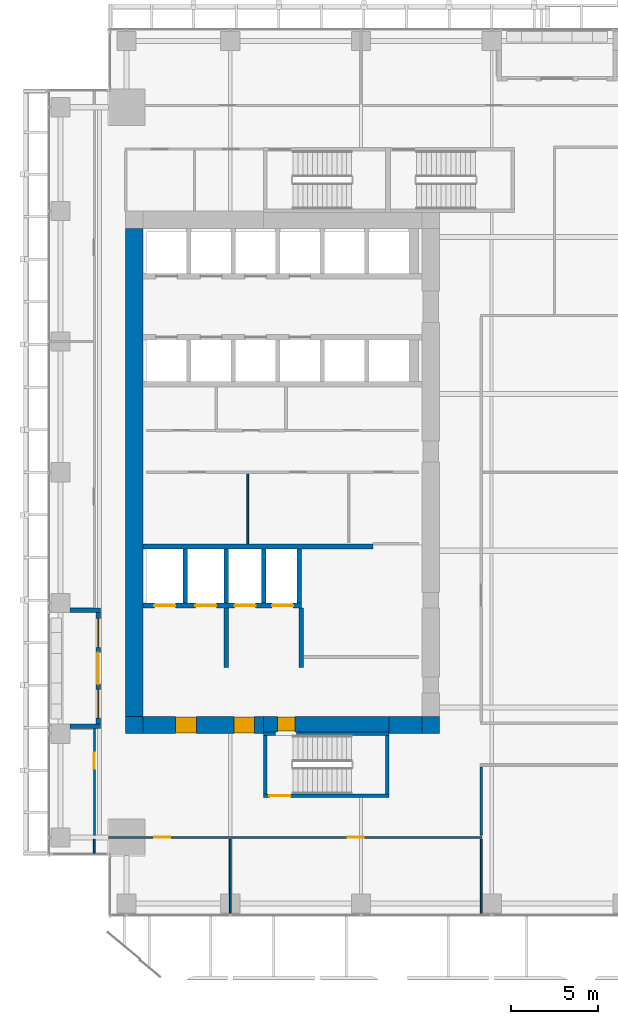
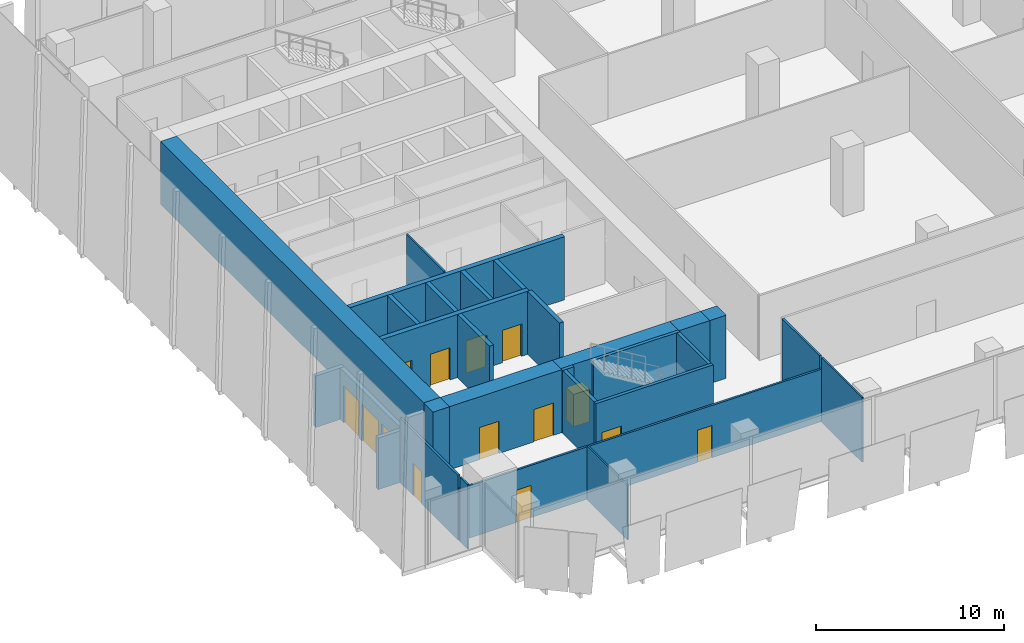
# One storey, part 28 of 34: 29 walls, 12 doors, 2 windows, 14 openings.
"""IFC4 building model written with IfcOpenShell, lengths in metres."""

from ifc_helpers import new_model, si_unit, direction, frame, frame_2d, origin, place, context, subcontext, project, spatial, rectangle, extrude, source, transform, mapped, material, layer, layer_set, type_object, element, fill, save


model = new_model("IFC4")

# Units and contexts
model_context = context("Model", 3, precision=1e-05, world=origin(), true_north=direction((0.0, 1.0)))
body_context = subcontext(model_context, "Body", "Model", "MODEL_VIEW")
ifc_project = project(units=[si_unit("LENGTHUNIT", "METRE"), si_unit("AREAUNIT", "SQUARE_METRE"), si_unit("VOLUMEUNIT", "CUBIC_METRE"), si_unit("PLANEANGLEUNIT", "RADIAN"), si_unit("MASSUNIT", "GRAM", prefix="KILO")], contexts=[model_context])

# Site, building, storey
site_placement = place(None, origin())
site = spatial("IfcSite", under=ifc_project, at=site_placement, CompositionType="ELEMENT")
building_placement = place(site_placement, origin())
building = spatial("IfcBuilding", under=site, at=building_placement, Name="Khomas Fold Tower", CompositionType="ELEMENT")
storey_placement = place(building_placement, frame((0.0, 0.0, 154.300048828125)))
storey = spatial("IfcBuildingStorey", under=building, at=storey_placement, Name="L33", CompositionType="ELEMENT", Elevation=154.300048828125)

# Wall, openings, doors
ifc_material_1 = material(Name="Concrete C70/85", Category="concrete")
ifc_layer_1 = layer(ifc_material_1, 1.0)
ifc_layer_set_1 = layer_set([ifc_layer_1], Name="Concrete C70/85")
wall_type_1 = type_object("IfcWallType", Name="Core wall 1000", PredefinedType="SHEAR", material=ifc_layer_set_1)
shared_shape_1 = source(origin(), body_context, "Body", "SweptSolid", [
    extrude(rectangle(XDim=6.89990234375, YDim=1.0, at=frame_2d((3.449951171875, 0.0))), origin(), (0.0, 0.0, 1.0), 4.099853515625),
])
wall_1_placement = place(storey_placement, frame((7.0, 12.5, 0.0), z_axis=(0.0, 0.0, 1.0), x_axis=(1.0, 0.0, 0.0)))
wall_1 = element("IfcWall", 1, at=wall_1_placement, inside=storey, type_object=wall_type_1, Name="Core wall CW-L-S-L21", PredefinedType="SHEAR", context=body_context, shape_type="MappedRepresentation", body=[
    mapped(shared_shape_1, transform((0.0, 0.0, 0.0))),
])
shared_shape_2 = source(origin(), body_context, "Body", "SweptSolid", [
    extrude(rectangle(XDim=1.199951171875, YDim=2.10009765625, at=frame_2d((0.60009765625, 1.050048828125))), frame((0.0, 0.510009765625, 0.0), z_axis=(0.0, -1.0, 0.0), x_axis=(1.0, 0.0, 0.0)), (0.0, 0.0, 1.0), 1.02001953125),
])
opening_1_placement = place(wall_1_placement, frame((5.199951171875, 0.0, 0.0)))
opening_1 = element("IfcOpeningElement", 2, at=opening_1_placement, cuts=wall_1, Name="Opening 0009", PredefinedType="OPENING", context=body_context, shape_type="MappedRepresentation", body=[
    mapped(shared_shape_2, transform((0.0, 0.0, 0.0))),
])
opening_2_placement = place(wall_1_placement, frame((1.85009765625, 0.0, 0.0)))
opening_2 = element("IfcOpeningElement", 3, at=opening_2_placement, cuts=wall_1, Name="Opening 0009", PredefinedType="OPENING", context=body_context, shape_type="MappedRepresentation", body=[
    mapped(shared_shape_2, transform((0.0, 0.0, 0.0))),
])
ifc_material_2 = material(Name="Steel door leaf", Category="steel")
door_type_1 = type_object("IfcDoorType", Name="Lobby door 1200x2100 right-hand", OperationType="SINGLE_SWING_RIGHT", PredefinedType="DOOR", material=ifc_material_2)
shared_shape_3 = source(origin(), body_context, "Body", "SweptSolid", [
    extrude(rectangle(XDim=1.199951171875, YDim=2.10009765625, at=frame_2d((0.60009765625, 1.050048828125))), frame((0.0, 0.449951171875, 0.0), z_axis=(0.0, -1.0, 0.0), x_axis=(1.0, 0.0, 0.0)), (0.0, 0.0, 1.0), 0.89990234375),
])
door_1_placement = place(opening_1_placement, origin())
door_1 = element("IfcDoor", 4, at=door_1_placement, inside=storey, type_object=door_type_1, Name="Lobby door", OperationType="SINGLE_SWING_RIGHT", OverallHeight=2.10009765625, OverallWidth=1.199951171875, PredefinedType="DOOR", context=body_context, shape_type="MappedRepresentation", body=[
    mapped(shared_shape_3, transform((0.0, 0.0, 0.0))),
])
fill(opening_1, door_1)
door_2_placement = place(opening_2_placement, origin())
door_2 = element("IfcDoor", 5, at=door_2_placement, inside=storey, type_object=door_type_1, Name="Lobby door", OperationType="SINGLE_SWING_RIGHT", OverallHeight=2.10009765625, OverallWidth=1.199951171875, PredefinedType="DOOR", context=body_context, shape_type="MappedRepresentation", body=[
    mapped(shared_shape_3, transform((0.0, 0.0, 0.0))),
])
fill(opening_2, door_2)

# Walls
ifc_material_3 = material(Name="Concrete C70/85", Category="concrete")
ifc_layer_2 = layer(ifc_material_3, 1.0)
ifc_layer_set_2 = layer_set([ifc_layer_2], Name="Concrete C70/85")
wall_type_2 = type_object("IfcWallType", Name="Core corner wall 1000", PredefinedType="SHEAR", material=ifc_layer_set_2)
shared_shape_4 = source(origin(), body_context, "Body", "SweptSolid", [
    extrude(rectangle(XDim=1.0, YDim=1.0, at=frame_2d((0.5, 0.0))), origin(), (0.0, 0.0, 1.0), 4.099853515625),
])
for number, where, z_axis, x_axis, name in (
    (6, (23.0, 12.5, 0.0), (0.0, 0.0, 1.0), (1.0, 0.0, 0.0), "Core wall CW-L-SE-L21"),
    (7, (6.0, 12.5, 0.0), (0.0, 0.0, 1.0), (1.0, 0.0, 0.0), "Core wall CW-L-SW-L21"),
):
    element("IfcWall", number, at=place(storey_placement, frame(where, z_axis=z_axis, x_axis=x_axis)), inside=storey, type_object=wall_type_2, Name=name, PredefinedType="SHEAR", context=body_context, shape_type="MappedRepresentation", body=[
        mapped(shared_shape_4, transform((0.0, 0.0, 0.0))),
    ])

# Wall, opening, door
ifc_material_4 = material(Name="Concrete C70/85", Category="concrete")
ifc_layer_3 = layer(ifc_material_4, 0.89990234375)
ifc_layer_set_3 = layer_set([ifc_layer_3], Name="Concrete C70/85")
wall_type_3 = type_object("IfcWallType", Name="Core wall 900", PredefinedType="SHEAR", material=ifc_layer_set_3)
shared_shape_5 = source(origin(), body_context, "Body", "SweptSolid", [
    extrude(rectangle(XDim=7.2001953125, YDim=0.89990234375, at=frame_2d((3.60009765625, 0.0))), origin(), (0.0, 0.0, 1.0), 4.099853515625),
])
wall_2_placement = place(storey_placement, frame((13.89990234375, 12.550048828125, 0.0), z_axis=(0.0, 0.0, 1.0), x_axis=(1.0, 0.0, 0.0)))
wall_2 = element("IfcWall", 8, at=wall_2_placement, inside=storey, type_object=wall_type_3, Name="Core wall CW-L-S-L21-1", PredefinedType="SHEAR", context=body_context, shape_type="MappedRepresentation", body=[
    mapped(shared_shape_5, transform((0.0, 0.0, 0.0))),
])
shared_shape_6 = source(origin(), body_context, "Body", "SweptSolid", [
    extrude(rectangle(XDim=1.0, YDim=2.10009765625, at=frame_2d((0.5, 1.050048828125))), frame((0.0, 0.4599609375, 0.0), z_axis=(0.0, -1.0, 0.0), x_axis=(1.0, 0.0, 0.0)), (0.0, 0.0, 1.0), 0.919921875),
])
opening_3_placement = place(wall_2_placement, frame((0.800048828125, 0.0, 0.0)))
opening_3 = element("IfcOpeningElement", 9, at=opening_3_placement, cuts=wall_2, Name="Opening 0010", PredefinedType="OPENING", context=body_context, shape_type="MappedRepresentation", body=[
    mapped(shared_shape_6, transform((0.0, 0.0, 0.0))),
])
ifc_material_5 = material(Name="Steel door leaf", Category="steel")
door_type_2 = type_object("IfcDoorType", Name="Stair door 1000x2100 right-hand", OperationType="SINGLE_SWING_RIGHT", PredefinedType="DOOR", material=ifc_material_5)
shared_shape_7 = source(origin(), body_context, "Body", "SweptSolid", [
    extrude(rectangle(XDim=1.0, YDim=2.10009765625, at=frame_2d((0.5, 1.050048828125))), frame((0.0, 0.39990234375, 0.0), z_axis=(0.0, -1.0, 0.0), x_axis=(1.0, 0.0, 0.0)), (0.0, 0.0, 1.0), 0.7998046875),
])
door_3_placement = place(opening_3_placement, origin())
door_3 = element("IfcDoor", 10, at=door_3_placement, inside=storey, type_object=door_type_2, Name="Stair door", OperationType="SINGLE_SWING_RIGHT", OverallHeight=2.10009765625, OverallWidth=1.0, PredefinedType="DOOR", context=body_context, shape_type="MappedRepresentation", body=[
    mapped(shared_shape_7, transform((0.0, 0.0, 0.0))),
])
fill(opening_3, door_3)

# Walls
shared_shape_8 = source(origin(), body_context, "Body", "SweptSolid", [
    extrude(rectangle(XDim=1.89990234375, YDim=1.0, at=frame_2d((0.949951171875, 0.0))), origin(), (0.0, 0.0, 1.0), 4.099853515625),
])
wall_3_placement = place(storey_placement, frame((21.10009765625, 12.5, 0.0), z_axis=(0.0, 0.0, 1.0), x_axis=(1.0, 0.0, 0.0)))
element("IfcWall", 11, at=wall_3_placement, inside=storey, type_object=wall_type_1, Name="Core wall CW-L-S-L21-2", PredefinedType="SHEAR", context=body_context, shape_type="MappedRepresentation", body=[
    mapped(shared_shape_8, transform((0.0, 0.0, 0.0))),
])
shared_shape_9 = source(origin(), body_context, "Body", "SweptSolid", [
    extrude(rectangle(XDim=28.0, YDim=1.0, at=frame_2d((14.0, 0.0))), origin(), (0.0, 0.0, 1.0), 4.099853515625),
])
wall_4_placement = place(storey_placement, frame((6.5, 13.0, 0.0), z_axis=(0.0, 0.0, 1.0), x_axis=(0.0, 1.0, 0.0)))
element("IfcWall", 12, at=wall_4_placement, inside=storey, type_object=wall_type_1, Name="Core wall CW-L-W-L21", PredefinedType="SHEAR", context=body_context, shape_type="MappedRepresentation", body=[
    mapped(shared_shape_9, transform((0.0, 0.0, 0.0))),
])
ifc_material_6 = material(Name="Concrete C50/60", Category="concrete")
ifc_layer_4 = layer(ifc_material_6, 0.199951171875)
ifc_layer_set_4 = layer_set([ifc_layer_4], Name="Concrete C50/60")
wall_type_4 = type_object("IfcWallType", Name="Stair wall 200", PredefinedType="SHEAR", material=ifc_layer_set_4)
shared_shape_10 = source(origin(), body_context, "Body", "SweptSolid", [
    extrude(rectangle(XDim=0.7001953125, YDim=0.199951171875, at=frame_2d((0.35009765625, 0.0))), origin(), (0.0, 0.0, 1.0), 4.099853515625),
])
wall_5_placement = place(storey_placement, frame((13.89990234375, 12.0, 0.0), z_axis=(0.0, 0.0, 1.0), x_axis=(1.0, 0.0, 0.0)))
element("IfcWall", 13, at=wall_5_placement, inside=storey, type_object=wall_type_4, Name="Stair wall SW-ST2-N", PredefinedType="SHEAR", context=body_context, shape_type="MappedRepresentation", body=[
    mapped(shared_shape_10, transform((0.0, 0.0, 0.0))),
])
shared_shape_11 = source(origin(), body_context, "Body", "SweptSolid", [
    extrude(rectangle(XDim=5.300048828125, YDim=0.199951171875, at=frame_2d((2.64990234375, 0.0))), origin(), (0.0, 0.0, 1.0), 4.099853515625),
])
wall_6_placement = place(storey_placement, frame((15.800048828125, 12.0, 0.0), z_axis=(0.0, 0.0, 1.0), x_axis=(1.0, 0.0, 0.0)))
element("IfcWall", 14, at=wall_6_placement, inside=storey, type_object=wall_type_4, Name="Stair wall SW-ST2-NB", PredefinedType="SHEAR", context=body_context, shape_type="MappedRepresentation", body=[
    mapped(shared_shape_11, transform((0.0, 0.0, 0.0))),
])

# Wall, opening, door
shared_shape_12 = source(origin(), body_context, "Body", "SweptSolid", [
    extrude(rectangle(XDim=7.2001953125, YDim=0.199951171875, at=frame_2d((3.60009765625, 0.0))), origin(), (0.0, 0.0, 1.0), 4.099853515625),
])
wall_7_placement = place(storey_placement, frame((13.89990234375, 8.449951171875, 0.0), z_axis=(0.0, 0.0, 1.0), x_axis=(1.0, 0.0, 0.0)))
wall_7 = element("IfcWall", 15, at=wall_7_placement, inside=storey, type_object=wall_type_4, Name="Stair wall SW-ST2-S", PredefinedType="SHEAR", context=body_context, shape_type="MappedRepresentation", body=[
    mapped(shared_shape_12, transform((0.0, 0.0, 0.0))),
])
shared_shape_13 = source(origin(), body_context, "Body", "SweptSolid", [
    extrude(rectangle(XDim=1.199951171875, YDim=2.10009765625, at=frame_2d((0.60009765625, 1.050048828125))), frame((0.0, 0.10986328125, 0.0), z_axis=(0.0, -1.0, 0.0), x_axis=(1.0, 0.0, 0.0)), (0.0, 0.0, 1.0), 0.219970703125),
])
opening_4_placement = place(wall_7_placement, frame((0.35009765625, 0.0, 0.0)))
opening_4 = element("IfcOpeningElement", 16, at=opening_4_placement, cuts=wall_7, Name="Opening SD-ST2", PredefinedType="OPENING", context=body_context, shape_type="MappedRepresentation", body=[
    mapped(shared_shape_13, transform((0.0, 0.0, 0.0))),
])
ifc_material_7 = material(Name="Steel door leaf", Category="steel")
door_type_3 = type_object("IfcDoorType", Name="Stair door 1200x2100 right-hand", OperationType="SINGLE_SWING_RIGHT", PredefinedType="DOOR", material=ifc_material_7)
shared_shape_14 = source(origin(), body_context, "Body", "SweptSolid", [
    extrude(rectangle(XDim=1.199951171875, YDim=2.10009765625, at=frame_2d((0.60009765625, 1.050048828125))), frame((0.0, 0.02490234375, 0.0), z_axis=(0.0, -1.0, 0.0), x_axis=(1.0, 0.0, 0.0)), (0.0, 0.0, 1.0), 0.050048828125),
])
door_4_placement = place(opening_4_placement, origin())
door_4 = element("IfcDoor", 17, at=door_4_placement, inside=storey, type_object=door_type_3, Name="Stair door", OperationType="SINGLE_SWING_RIGHT", OverallHeight=2.10009765625, OverallWidth=1.199951171875, PredefinedType="DOOR", context=body_context, shape_type="MappedRepresentation", body=[
    mapped(shared_shape_14, transform((0.0, 0.0, 0.0))),
])
fill(opening_4, door_4)

# Walls
shared_shape_15 = source(origin(), body_context, "Body", "SweptSolid", [
    extrude(rectangle(XDim=3.349853515625, YDim=0.199951171875, at=frame_2d((1.6748046875, 0.0))), origin(), (0.0, 0.0, 1.0), 4.099853515625),
])
for number, where, z_axis, x_axis, name in (
    (18, (21.0, 8.550048828125, 0.0), (0.0, 0.0, 1.0), (0.0, 1.0, 0.0), "Stair wall SW-ST2-E"),
    (19, (14.0, 8.550048828125, 0.0), (0.0, 0.0, 1.0), (0.0, 1.0, 0.0), "Stair wall SW-ST2-W"),
):
    element("IfcWall", number, at=place(storey_placement, frame(where, z_axis=z_axis, x_axis=x_axis)), inside=storey, type_object=wall_type_4, Name=name, PredefinedType="SHEAR", context=body_context, shape_type="MappedRepresentation", body=[
        mapped(shared_shape_15, transform((0.0, 0.0, 0.0))),
    ])
ifc_material_8 = material(Name="Concrete C50/60", Category="concrete")
ifc_layer_5 = layer(ifc_material_8, 0.300048828125)
ifc_layer_set_5 = layer_set([ifc_layer_5], Name="Concrete C50/60")
wall_type_5 = type_object("IfcWallType", Name="Shaft wall 300", PredefinedType="STANDARD", material=ifc_layer_set_5)
shared_shape_16 = source(origin(), body_context, "Body", "SweptSolid", [
    extrude(rectangle(XDim=13.199951171875, YDim=0.300048828125, at=frame_2d((6.60009765625, 0.0))), origin(), (0.0, 0.0, 1.0), 4.099853515625),
])
wall_8_placement = place(storey_placement, frame((7.0, 22.75, 0.0), z_axis=(0.0, 0.0, 1.0), x_axis=(1.0, 0.0, 0.0)))
element("IfcWall", 20, at=wall_8_placement, inside=storey, type_object=wall_type_5, Name="Core wall SW-FS-B", PredefinedType="STANDARD", context=body_context, shape_type="MappedRepresentation", body=[
    mapped(shared_shape_16, transform((0.0, 0.0, 0.0))),
])

# Wall, openings, doors
shared_shape_17 = source(origin(), body_context, "Body", "SweptSolid", [
    extrude(rectangle(XDim=9.074951171875, YDim=0.300048828125, at=frame_2d((4.53759765625, 0.0))), origin(), (0.0, 0.0, 1.0), 4.099853515625),
])
wall_9_placement = place(storey_placement, frame((7.0, 19.35009765625, 0.0), z_axis=(0.0, 0.0, 1.0), x_axis=(1.0, 0.0, 0.0)))
wall_9 = element("IfcWall", 21, at=wall_9_placement, inside=storey, type_object=wall_type_5, Name="Core wall SW-FS-F", PredefinedType="STANDARD", context=body_context, shape_type="MappedRepresentation", body=[
    mapped(shared_shape_17, transform((0.0, 0.0, 0.0))),
])
shared_shape_18 = source(origin(), body_context, "Body", "SweptSolid", [
    extrude(rectangle(XDim=1.199951171875, YDim=2.10009765625, at=frame_2d((0.60009765625, 1.050048828125))), frame((0.0, 0.159912109375, 0.0), z_axis=(0.0, -1.0, 0.0), x_axis=(1.0, 0.0, 0.0)), (0.0, 0.0, 1.0), 0.320068359375),
])
opening_5_placement = place(wall_9_placement, frame((0.64990234375, 0.0, 0.0)))
opening_5 = element("IfcOpeningElement", 22, at=opening_5_placement, cuts=wall_9, Name="Opening LD-SV1", PredefinedType="OPENING", context=body_context, shape_type="MappedRepresentation", body=[
    mapped(shared_shape_18, transform((0.0, 0.0, 0.0))),
])
opening_6_placement = place(wall_9_placement, frame((3.0, 0.0, 0.0)))
opening_6 = element("IfcOpeningElement", 23, at=opening_6_placement, cuts=wall_9, Name="Opening LD-SV2", PredefinedType="OPENING", context=body_context, shape_type="MappedRepresentation", body=[
    mapped(shared_shape_18, transform((0.0, 0.0, 0.0))),
])
opening_7_placement = place(wall_9_placement, frame((5.25, 0.0, 0.0)))
opening_7 = element("IfcOpeningElement", 24, at=opening_7_placement, cuts=wall_9, Name="Opening LD-FF1", PredefinedType="OPENING", context=body_context, shape_type="MappedRepresentation", body=[
    mapped(shared_shape_18, transform((0.0, 0.0, 0.0))),
])
opening_8_placement = place(wall_9_placement, frame((7.39990234375, 0.0, 0.0)))
opening_8 = element("IfcOpeningElement", 25, at=opening_8_placement, cuts=wall_9, Name="Opening LD-FF2", PredefinedType="OPENING", context=body_context, shape_type="MappedRepresentation", body=[
    mapped(shared_shape_18, transform((0.0, 0.0, 0.0))),
])
ifc_material_9 = material(Name="Steel door leaf", Category="steel")
door_type_4 = type_object("IfcDoorType", Name="Landing door 1200x2100", OperationType="DOUBLE_DOOR_SLIDING", PredefinedType="DOOR", material=ifc_material_9)
door_5_placement = place(opening_5_placement, origin())
door_5 = element("IfcDoor", 26, at=door_5_placement, inside=storey, type_object=door_type_4, Name="Lift landing door", OperationType="DOUBLE_DOOR_SLIDING", OverallHeight=2.10009765625, OverallWidth=1.199951171875, PredefinedType="DOOR", context=body_context, shape_type="MappedRepresentation", body=[
    mapped(shared_shape_14, transform((0.0, 0.0, 0.0))),
])
fill(opening_5, door_5)
door_6_placement = place(opening_6_placement, origin())
door_6 = element("IfcDoor", 27, at=door_6_placement, inside=storey, type_object=door_type_4, Name="Lift landing door", OperationType="DOUBLE_DOOR_SLIDING", OverallHeight=2.10009765625, OverallWidth=1.199951171875, PredefinedType="DOOR", context=body_context, shape_type="MappedRepresentation", body=[
    mapped(shared_shape_14, transform((0.0, 0.0, 0.0))),
])
fill(opening_6, door_6)
door_7_placement = place(opening_7_placement, origin())
door_7 = element("IfcDoor", 28, at=door_7_placement, inside=storey, type_object=door_type_4, Name="Lift landing door", OperationType="DOUBLE_DOOR_SLIDING", OverallHeight=2.10009765625, OverallWidth=1.199951171875, PredefinedType="DOOR", context=body_context, shape_type="MappedRepresentation", body=[
    mapped(shared_shape_14, transform((0.0, 0.0, 0.0))),
])
fill(opening_7, door_7)
door_8_placement = place(opening_8_placement, origin())
door_8 = element("IfcDoor", 29, at=door_8_placement, inside=storey, type_object=door_type_4, Name="Lift landing door", OperationType="DOUBLE_DOOR_SLIDING", OverallHeight=2.10009765625, OverallWidth=1.199951171875, PredefinedType="DOOR", context=body_context, shape_type="MappedRepresentation", body=[
    mapped(shared_shape_14, transform((0.0, 0.0, 0.0))),
])
fill(opening_8, door_8)

# Walls
ifc_material_10 = material(Name="Concrete C50/60", Category="concrete")
ifc_layer_6 = layer(ifc_material_10, 0.25)
ifc_layer_set_6 = layer_set([ifc_layer_6], Name="Concrete C50/60")
wall_type_6 = type_object("IfcWallType", Name="Shaft wall 250", PredefinedType="STANDARD", material=ifc_layer_set_6)
shared_shape_19 = source(origin(), body_context, "Body", "SweptSolid", [
    extrude(rectangle(XDim=3.10009765625, YDim=0.25, at=frame_2d((1.550048828125, 0.0))), origin(), (0.0, 0.0, 1.0), 4.099853515625),
])
for number, where, z_axis, x_axis, name in (
    (30, (9.425048828125, 19.5, 0.0), (0.0, 0.0, 1.0), (0.0, 1.0, 0.0), "Core wall SW-FS-P1"),
    (31, (11.77490234375, 19.5, 0.0), (0.0, 0.0, 1.0), (0.0, 1.0, 0.0), "Core wall SW-FS-P2"),
    (32, (13.925048828125, 19.5, 0.0), (0.0, 0.0, 1.0), (0.0, 1.0, 0.0), "Core wall SW-FS-P3"),
    (33, (15.949951171875, 19.5, 0.0), (0.0, 0.0, 1.0), (0.0, 1.0, 0.0), "Core wall SW-FS-PE"),
):
    element("IfcWall", number, at=place(storey_placement, frame(where, z_axis=z_axis, x_axis=x_axis)), inside=storey, type_object=wall_type_6, Name=name, PredefinedType="STANDARD", context=body_context, shape_type="MappedRepresentation", body=[
        mapped(shared_shape_19, transform((0.0, 0.0, 0.0))),
    ])
ifc_material_11 = material(Name="Concrete C50/60", Category="concrete")
ifc_layer_7 = layer(ifc_material_11, 0.25)
ifc_layer_set_7 = layer_set([ifc_layer_7], Name="Concrete C50/60")
wall_type_7 = type_object("IfcWallType", Name="Lobby wall 250", PredefinedType="STANDARD", material=ifc_layer_set_7)
shared_shape_20 = source(origin(), body_context, "Body", "SweptSolid", [
    extrude(rectangle(XDim=3.39990234375, YDim=0.25, at=frame_2d((1.699951171875, 0.0))), origin(), (0.0, 0.0, 1.0), 4.099853515625),
])
for number, where, z_axis, x_axis, name in (
    (34, (16.074951171875, 15.800048828125, 0.0), (0.0, 0.0, 1.0), (0.0, 1.0, 0.0), "Core wall SW-FS-LOB-E"),
    (35, (11.77490234375, 15.800048828125, 0.0), (0.0, 0.0, 1.0), (0.0, 1.0, 0.0), "Core wall SW-FS-SEP"),
):
    element("IfcWall", number, at=place(storey_placement, frame(where, z_axis=z_axis, x_axis=x_axis)), inside=storey, type_object=wall_type_7, Name=name, PredefinedType="STANDARD", context=body_context, shape_type="MappedRepresentation", body=[
        mapped(shared_shape_20, transform((0.0, 0.0, 0.0))),
    ])

# Wall, openings, door, windows
ifc_material_12 = material(Name="Natural stone", Category="masonry")
ifc_layer_8 = layer(ifc_material_12, 0.0400390625)
ifc_material_13 = material(Name="Mineral wool insulation", Category="insulation")
ifc_layer_9 = layer(ifc_material_13, 0.10009765625)
ifc_material_14 = material(Name="Masonry", Category="masonry")
ifc_layer_10 = layer(ifc_material_14, 0.110107421875)
ifc_layer_set_8 = layer_set([ifc_layer_8, ifc_layer_9, ifc_layer_10], Name="Stone-faced insulated masonry")
wall_type_8 = type_object("IfcWallType", Name="BL-Balcony wall", PredefinedType="SOLIDWALL", material=ifc_layer_set_8)
shared_shape_21 = source(origin(), body_context, "Body", "SweptSolid", [
    extrude(rectangle(XDim=6.39990234375, YDim=0.25, at=frame_2d((3.199951171875, 0.0))), origin(), (0.0, 0.0, 1.0), 3.349853515625),
])
wall_10_placement = place(storey_placement, frame((4.425048828125, 12.550048828125, 0.0), z_axis=(0.0, 0.0, 1.0), x_axis=(0.0, 1.0, 0.0)))
wall_10 = element("IfcWall", 36, at=wall_10_placement, inside=storey, type_object=wall_type_8, Name="Balcony wall BAL-L33-W1", PredefinedType="SOLIDWALL", context=body_context, shape_type="MappedRepresentation", body=[
    mapped(shared_shape_21, transform((0.0, 0.0, 0.0))),
])
shared_shape_22 = source(origin(), body_context, "Body", "SweptSolid", [
    extrude(rectangle(XDim=1.64990234375, YDim=2.39990234375, at=frame_2d((0.824951171875, 1.199951171875))), frame((0.0, 0.135009765625, 0.0), z_axis=(0.0, -1.0, 0.0), x_axis=(1.0, 0.0, 0.0)), (0.0, 0.0, 1.0), 0.27001953125),
])
opening_9_placement = place(wall_10_placement, frame((0.35009765625, 0.0, 0.0)))
opening_9 = element("IfcOpeningElement", 37, at=opening_9_placement, cuts=wall_10, Name="Opening BL-W2", PredefinedType="OPENING", context=body_context, shape_type="MappedRepresentation", body=[
    mapped(shared_shape_22, transform((0.0, 0.0, 0.0))),
])
opening_10_placement = place(wall_10_placement, frame((4.39990234375, 0.0, 0.0)))
opening_10 = element("IfcOpeningElement", 38, at=opening_10_placement, cuts=wall_10, Name="Opening BL-W2", PredefinedType="OPENING", context=body_context, shape_type="MappedRepresentation", body=[
    mapped(shared_shape_22, transform((0.0, 0.0, 0.0))),
])
shared_shape_23 = source(origin(), body_context, "Body", "SweptSolid", [
    extrude(rectangle(XDim=1.800048828125, YDim=2.39990234375, at=frame_2d((0.89990234375, 1.199951171875))), frame((0.0, 0.135009765625, 0.0), z_axis=(0.0, -1.0, 0.0), x_axis=(1.0, 0.0, 0.0)), (0.0, 0.0, 1.0), 0.27001953125),
])
opening_11_placement = place(wall_10_placement, frame((2.300048828125, 0.0, 0.0)))
opening_11 = element("IfcOpeningElement", 39, at=opening_11_placement, cuts=wall_10, Name="Opening BD331", PredefinedType="OPENING", context=body_context, shape_type="MappedRepresentation", body=[
    mapped(shared_shape_23, transform((0.0, 0.0, 0.0))),
])
ifc_material_15 = material(Name="Aluminium framed double glazing", Category="aluminium")
door_type_5 = type_object("IfcDoorType", Name="BL-Glazed balcony door 1800 x 2400", OperationType="DOUBLE_DOOR_DOUBLE_SWING", PredefinedType="DOOR", material=ifc_material_15)
shared_shape_24 = source(origin(), body_context, "Body", "SweptSolid", [
    extrude(rectangle(XDim=1.800048828125, YDim=2.39990234375, at=frame_2d((0.89990234375, 1.199951171875))), frame((0.0, 0.02490234375, 0.0), z_axis=(0.0, -1.0, 0.0), x_axis=(1.0, 0.0, 0.0)), (0.0, 0.0, 1.0), 0.050048828125),
])
door_9_placement = place(opening_11_placement, origin())
door_9 = element("IfcDoor", 40, at=door_9_placement, inside=storey, type_object=door_type_5, Name="Balcony door BD331", OperationType="DOUBLE_DOOR_DOUBLE_SWING", OverallHeight=2.39990234375, OverallWidth=1.800048828125, PredefinedType="DOOR", context=body_context, shape_type="MappedRepresentation", body=[
    mapped(shared_shape_24, transform((0.0, 0.0, 0.0))),
])
fill(opening_11, door_9)
ifc_material_16 = material(Name="Aluminium framed double glazing", Category="aluminium")
window_type = type_object("IfcWindowType", Name="BL-Fixed glazing 1650 x 2400", PartitioningType="SINGLE_PANEL", PredefinedType="WINDOW", material=ifc_material_16)
shared_shape_25 = source(origin(), body_context, "Body", "SweptSolid", [
    extrude(rectangle(XDim=1.64990234375, YDim=2.39990234375, at=frame_2d((0.824951171875, 1.199951171875))), frame((0.0, 0.030029296875, 0.0), z_axis=(0.0, -1.0, 0.0), x_axis=(1.0, 0.0, 0.0)), (0.0, 0.0, 1.0), 0.06005859375),
])
window_1_placement = place(opening_9_placement, origin())
window_1 = element("IfcWindow", 41, at=window_1_placement, inside=storey, type_object=window_type, Name="Balcony glazing BAL-L33-W1-1", OverallHeight=2.39990234375, OverallWidth=1.64990234375, PartitioningType="SINGLE_PANEL", PredefinedType="WINDOW", context=body_context, shape_type="MappedRepresentation", body=[
    mapped(shared_shape_25, transform((0.0, 0.0, 0.0))),
])
fill(opening_9, window_1)
window_2_placement = place(opening_10_placement, origin())
window_2 = element("IfcWindow", 42, at=window_2_placement, inside=storey, type_object=window_type, Name="Balcony glazing BAL-L33-W1-2", OverallHeight=2.39990234375, OverallWidth=1.64990234375, PartitioningType="SINGLE_PANEL", PredefinedType="WINDOW", context=body_context, shape_type="MappedRepresentation", body=[
    mapped(shared_shape_25, transform((0.0, 0.0, 0.0))),
])
fill(opening_10, window_2)

# Walls
shared_shape_26 = source(origin(), body_context, "Body", "SweptSolid", [
    extrude(rectangle(XDim=1.75, YDim=0.25, at=frame_2d((0.875, 0.0))), origin(), (0.0, 0.0, 1.0), 3.349853515625),
])
for number, where, z_axis, x_axis, name in (
    (43, (2.800048828125, 12.425048828125, 0.0), (0.0, 0.0, 1.0), (1.0, 0.0, 0.0), "Balcony return wall BAL-L33-W1-lo"),
    (44, (2.800048828125, 19.074951171875, 0.0), (0.0, 0.0, 1.0), (1.0, 0.0, 0.0), "Balcony return wall BAL-L33-W1-hi"),
):
    element("IfcWall", number, at=place(storey_placement, frame(where, z_axis=z_axis, x_axis=x_axis)), inside=storey, type_object=wall_type_8, Name=name, PredefinedType="SOLIDWALL", context=body_context, shape_type="MappedRepresentation", body=[
        mapped(shared_shape_26, transform((0.0, 0.0, 0.0))),
    ])
ifc_material_17 = material(Name="Plasterboard partition")
ifc_layer_11 = layer(ifc_material_17, 0.10009765625)
ifc_layer_set_9 = layer_set([ifc_layer_11], Name="Plasterboard partition")
wall_type_9 = type_object("IfcWallType", Name="Partition PW1 100", PredefinedType="PARTITIONING", material=ifc_layer_set_9)
shared_shape_27 = source(origin(), body_context, "Body", "SweptSolid", [
    extrude(rectangle(XDim=4.300048828125, YDim=0.10009765625, at=frame_2d((2.14990234375, 0.0))), origin(), (0.0, 0.0, 1.0), 4.199951171875),
])
wall_11_placement = place(storey_placement, frame((26.39990234375, 1.64990234375, 0.0), z_axis=(0.0, 0.0, 1.0), x_axis=(0.0, 1.0, 0.0)))
element("IfcWall", 45, at=wall_11_placement, inside=storey, type_object=wall_type_9, Name="Partition", PredefinedType="PARTITIONING", context=body_context, shape_type="MappedRepresentation", body=[
    mapped(shared_shape_27, transform((0.0, 0.0, 0.0))),
])
shared_shape_28 = source(origin(), body_context, "Body", "SweptSolid", [
    extrude(rectangle(XDim=0.800048828125, YDim=0.10009765625, at=frame_2d((0.39990234375, 0.0))), origin(), (0.0, 0.0, 1.0), 4.199951171875),
])
wall_12_placement = place(storey_placement, frame((4.199951171875, 5.14990234375, 0.0), z_axis=(0.0, 0.0, 1.0), x_axis=(0.0, 1.0, 0.0)))
element("IfcWall", 46, at=wall_12_placement, inside=storey, type_object=wall_type_9, Name="Partition", PredefinedType="PARTITIONING", context=body_context, shape_type="MappedRepresentation", body=[
    mapped(shared_shape_28, transform((0.0, 0.0, 0.0))),
])
ifc_material_18 = material(Name="Plasterboard partition")
ifc_layer_12 = layer(ifc_material_18, 0.125)
ifc_layer_set_10 = layer_set([ifc_layer_12], Name="Plasterboard partition")
wall_type_10 = type_object("IfcWallType", Name="Partition PW2 125", PredefinedType="PARTITIONING", material=ifc_layer_set_10)
shared_shape_29 = source(origin(), body_context, "Body", "SweptSolid", [
    extrude(rectangle(XDim=3.9501953125, YDim=0.125, at=frame_2d((1.97509765625, 0.0))), origin(), (0.0, 0.0, 1.0), 4.199951171875),
])
wall_13_placement = place(storey_placement, frame((26.39990234375, 6.14990234375, 0.0), z_axis=(0.0, 0.0, 1.0), x_axis=(0.0, 1.0, 0.0)))
element("IfcWall", 47, at=wall_13_placement, inside=storey, type_object=wall_type_10, Name="Partition", PredefinedType="PARTITIONING", context=body_context, shape_type="MappedRepresentation", body=[
    mapped(shared_shape_29, transform((0.0, 0.0, 0.0))),
])

# Wall, opening, door
shared_shape_30 = source(origin(), body_context, "Body", "SweptSolid", [
    extrude(rectangle(XDim=6.150146484375, YDim=0.125, at=frame_2d((3.0751953125, 0.0))), origin(), (0.0, 0.0, 1.0), 4.199951171875),
])
wall_14_placement = place(storey_placement, frame((4.199951171875, 6.14990234375, 0.0), z_axis=(0.0, 0.0, 1.0), x_axis=(0.0, 1.0, 0.0)))
wall_14 = element("IfcWall", 48, at=wall_14_placement, inside=storey, type_object=wall_type_10, Name="Partition", PredefinedType="PARTITIONING", context=body_context, shape_type="MappedRepresentation", body=[
    mapped(shared_shape_30, transform((0.0, 0.0, 0.0))),
])
shared_shape_31 = source(origin(), body_context, "Body", "SweptSolid", [
    extrude(rectangle(XDim=0.89990234375, YDim=2.10009765625, at=frame_2d((0.449951171875, 1.050048828125))), frame((0.0, 0.072509765625, 0.0), z_axis=(0.0, -1.0, 0.0), x_axis=(1.0, 0.0, 0.0)), (0.0, 0.0, 1.0), 0.14501953125),
])
opening_12_placement = place(wall_14_placement, frame((3.85009765625, 0.0, 0.0)))
opening_12 = element("IfcOpeningElement", 49, at=opening_12_placement, cuts=wall_14, Name="Opening 0007", PredefinedType="OPENING", context=body_context, shape_type="MappedRepresentation", body=[
    mapped(shared_shape_31, transform((0.0, 0.0, 0.0))),
])
ifc_material_19 = material(Name="Timber door leaf", Category="wood")
door_type_6 = type_object("IfcDoorType", Name="Door 900x2100 left-hand", OperationType="SINGLE_SWING_LEFT", PredefinedType="DOOR", material=ifc_material_19)
shared_shape_32 = source(origin(), body_context, "Body", "SweptSolid", [
    extrude(rectangle(XDim=0.89990234375, YDim=2.10009765625, at=frame_2d((0.449951171875, 1.050048828125))), frame((0.0, 0.02490234375, 0.0), z_axis=(0.0, -1.0, 0.0), x_axis=(1.0, 0.0, 0.0)), (0.0, 0.0, 1.0), 0.050048828125),
])
door_10_placement = place(opening_12_placement, origin())
door_10 = element("IfcDoor", 50, at=door_10_placement, inside=storey, type_object=door_type_6, Name="Door", OperationType="SINGLE_SWING_LEFT", OverallHeight=2.10009765625, OverallWidth=0.89990234375, PredefinedType="DOOR", context=body_context, shape_type="MappedRepresentation", body=[
    mapped(shared_shape_32, transform((0.0, 0.0, 0.0))),
])
fill(opening_12, door_10)

# Wall
shared_shape_33 = source(origin(), body_context, "Body", "SweptSolid", [
    extrude(rectangle(XDim=4.300048828125, YDim=0.10009765625, at=frame_2d((2.14990234375, 0.0))), origin(), (0.0, 0.0, 1.0), 3.5),
])
wall_15_placement = place(storey_placement, frame((12.0, 1.64990234375, 0.0), z_axis=(0.0, 0.0, 1.0), x_axis=(0.0, 1.0, 0.0)))
element("IfcWall", 51, at=wall_15_placement, inside=storey, type_object=wall_type_9, Name="Partition", PredefinedType="PARTITIONING", context=body_context, shape_type="MappedRepresentation", body=[
    mapped(shared_shape_33, transform((0.0, 0.0, 0.0))),
])

# Wall, openings, doors
shared_shape_34 = source(origin(), body_context, "Body", "SweptSolid", [
    extrude(rectangle(XDim=22.300048828125, YDim=0.125, at=frame_2d((11.14990234375, 0.0))), origin(), (0.0, 0.0, 1.0), 3.39990234375),
])
wall_16_placement = place(storey_placement, frame((4.14990234375, 6.050048828125, 0.0), z_axis=(0.0, 0.0, 1.0), x_axis=(1.0, 0.0, 0.0)))
wall_16 = element("IfcWall", 52, at=wall_16_placement, inside=storey, type_object=wall_type_10, Name="Partition", PredefinedType="PARTITIONING", context=body_context, shape_type="MappedRepresentation", body=[
    mapped(shared_shape_34, transform((0.0, 0.0, 0.0))),
])
opening_13_placement = place(wall_16_placement, frame((3.5, 0.0, 0.0)))
opening_13 = element("IfcOpeningElement", 53, at=opening_13_placement, cuts=wall_16, Name="Opening 0008", PredefinedType="OPENING", context=body_context, shape_type="MappedRepresentation", body=[
    mapped(shared_shape_31, transform((0.0, 0.0, 0.0))),
])
opening_14_placement = place(wall_16_placement, frame((14.60009765625, 0.0, 0.0)))
opening_14 = element("IfcOpeningElement", 54, at=opening_14_placement, cuts=wall_16, Name="Opening 0007", PredefinedType="OPENING", context=body_context, shape_type="MappedRepresentation", body=[
    mapped(shared_shape_31, transform((0.0, 0.0, 0.0))),
])
ifc_material_20 = material(Name="Timber door leaf", Category="wood")
door_type_7 = type_object("IfcDoorType", Name="Door 900x2100 right-hand", OperationType="SINGLE_SWING_RIGHT", PredefinedType="DOOR", material=ifc_material_20)
door_11_placement = place(opening_13_placement, origin())
door_11 = element("IfcDoor", 55, at=door_11_placement, inside=storey, type_object=door_type_7, Name="Door", OperationType="SINGLE_SWING_RIGHT", OverallHeight=2.10009765625, OverallWidth=0.89990234375, PredefinedType="DOOR", context=body_context, shape_type="MappedRepresentation", body=[
    mapped(shared_shape_32, transform((0.0, 0.0, 0.0))),
])
fill(opening_13, door_11)
door_12_placement = place(opening_14_placement, origin())
door_12 = element("IfcDoor", 56, at=door_12_placement, inside=storey, type_object=door_type_6, Name="Door", OperationType="SINGLE_SWING_LEFT", OverallHeight=2.10009765625, OverallWidth=0.89990234375, PredefinedType="DOOR", context=body_context, shape_type="MappedRepresentation", body=[
    mapped(shared_shape_32, transform((0.0, 0.0, 0.0))),
])
fill(opening_14, door_12)

# Wall
shared_shape_35 = source(origin(), body_context, "Body", "SweptSolid", [
    extrude(rectangle(XDim=4.0, YDim=0.10009765625, at=frame_2d((2.0, 0.0))), origin(), (0.0, 0.0, 1.0), 4.199951171875),
])
wall_17_placement = place(storey_placement, frame((13.0, 22.89990234375, 0.0), z_axis=(0.0, 0.0, 1.0), x_axis=(0.0, 1.0, 0.0)))
element("IfcWall", 57, at=wall_17_placement, inside=storey, type_object=wall_type_9, Name="Partition", PredefinedType="PARTITIONING", context=body_context, shape_type="MappedRepresentation", body=[
    mapped(shared_shape_35, transform((0.0, 0.0, 0.0))),
])

save(model, "model.ifc")
